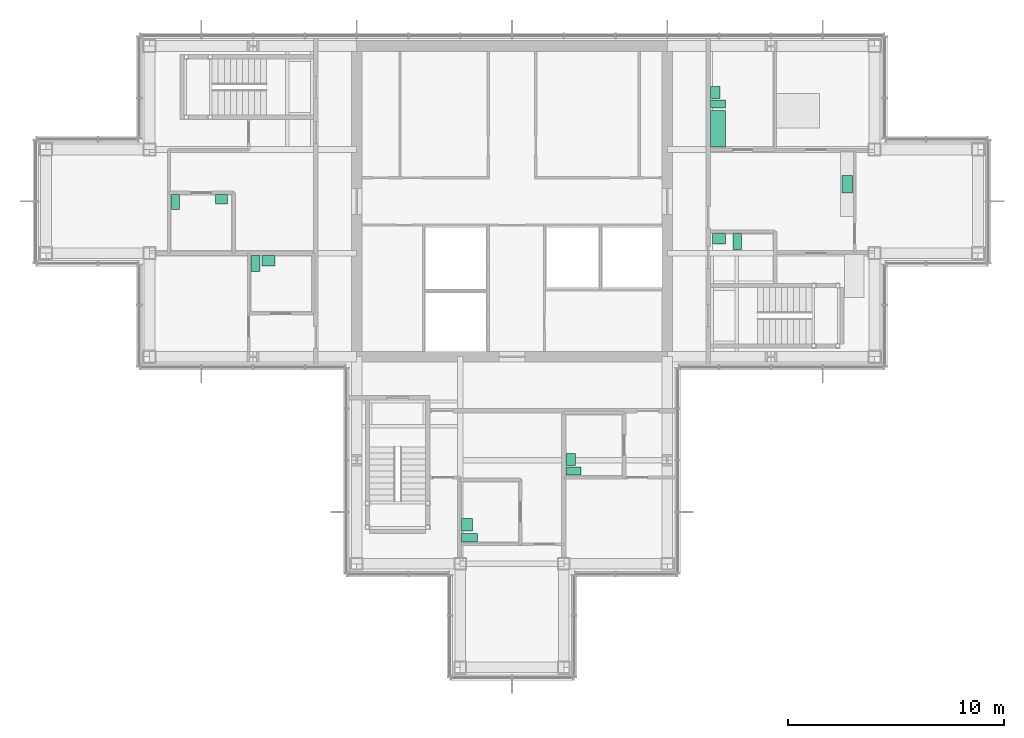
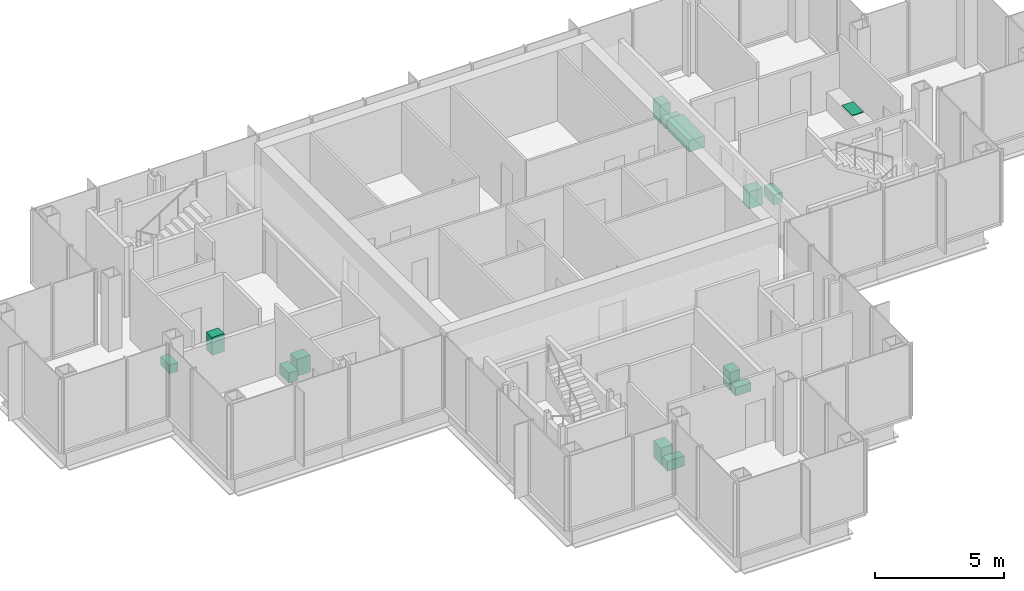
# One storey, part 14 of 15: 14 sanitary terminals.
"""IFC4 building model written with IfcOpenShell, lengths in metres."""

from ifc_helpers import new_model, si_unit, direction, frame, origin, origin_2d, place, context, subcontext, project, spatial, rectangle, extrude, material, type_object, element, save


model = new_model("IFC4")

# Units and contexts
model_context = context("Model", 3, precision=1e-05, world=origin(), true_north=direction((0.0, 1.0)))
body_context = subcontext(model_context, "Body", "Model", "MODEL_VIEW")
ifc_project = project(units=[si_unit("LENGTHUNIT", "METRE"), si_unit("AREAUNIT", "SQUARE_METRE"), si_unit("VOLUMEUNIT", "CUBIC_METRE"), si_unit("PLANEANGLEUNIT", "RADIAN"), si_unit("MASSUNIT", "GRAM", prefix="KILO")], contexts=[model_context])

# Site, building, storey
site_placement = place(None, origin())
site = spatial("IfcSite", under=ifc_project, at=site_placement, CompositionType="ELEMENT")
building_placement = place(site_placement, origin())
building = spatial("IfcBuilding", under=site, at=building_placement, Name="Kvirike Care Tower", CompositionType="ELEMENT")
storey_placement = place(building_placement, frame((0.0, 0.0, 229.5)))
storey = spatial("IfcBuildingStorey", under=building, at=storey_placement, Name="L63", CompositionType="ELEMENT", Elevation=229.5)

# Sanitary terminals
ifc_material_1 = material(Name="Vitreous china", Category="ceramic")
sanitary_terminal_type_1 = type_object("IfcSanitaryTerminalType", Name="ACCESSIBLE WASH BASIN 600 x 500", PredefinedType="WASHHANDBASIN", material=ifc_material_1)
for number, where, z_axis, x_axis, name in (
    (1, (10.31005859375, 33.248046875, 0.02001953125), (0.0, 0.0, 1.0), (1.0, 0.0, 0.0), "Accessible wash basin L63-007"),
    (2, (19.511962890625, 21.010009765625, 0.02001953125), (0.0, 0.0, 1.0), (0.0, 1.0, 0.0), "Accessible wash basin L63-013"),
    (3, (31.199951171875, 34.27294921875, 0.02001953125), (0.0, 0.0, 1.0), (1.0, 0.0, 0.0), "Accessible wash basin L63-023"),
):
    element("IfcSanitaryTerminal", number, at=place(storey_placement, frame(where, z_axis=z_axis, x_axis=x_axis)), inside=storey, type_object=sanitary_terminal_type_1, Name=name, PredefinedType="WASHHANDBASIN", context=body_context, shape_type="SweptSolid", body=[
        extrude(rectangle(XDim=0.60009765625, YDim=0.5, at=origin_2d()), origin(), (0.0, 0.0, 1.0), 0.800048828125),
    ])
ifc_material_2 = material(Name="Vitreous china", Category="ceramic")
sanitary_terminal_type_2 = type_object("IfcSanitaryTerminalType", Name="ACCESSIBLE WC PAN 400 x 750", PredefinedType="TOILETPAN", material=ifc_material_2)
for number, where, z_axis, x_axis, name in (
    (4, (9.7099609375, 33.123046875, 0.02001953125), (0.0, 0.0, 1.0), (1.0, 0.0, 0.0), "Accessible WC pan L63-007"),
    (5, (19.636962890625, 20.409912109375, 0.02001953125), (0.0, 0.0, 1.0), (0.0, 1.0, 0.0), "Accessible WC pan L63-013"),
    (6, (32.050048828125, 34.14794921875, 0.02001953125), (0.0, 0.0, 1.0), (1.0, 0.0, 0.0), "Accessible WC pan L63-023"),
):
    element("IfcSanitaryTerminal", number, at=place(storey_placement, frame(where, z_axis=z_axis, x_axis=x_axis)), inside=storey, type_object=sanitary_terminal_type_2, Name=name, PredefinedType="TOILETPAN", context=body_context, shape_type="SweptSolid", body=[
        extrude(rectangle(XDim=0.39990234375, YDim=0.75, at=origin_2d()), origin(), (0.0, 0.0, 1.0), 0.47998046875),
    ])
ifc_material_3 = material(Name="Enamelled steel", Category="steel")
sanitary_terminal_type_3 = type_object("IfcSanitaryTerminalType", Name="BATH 1700 x 700", PredefinedType="BATH", material=ifc_material_3)
sanitary_terminal_1_placement = place(storey_placement, frame((31.152099609375, 39.375, 0.02001953125), z_axis=(0.0, 0.0, 1.0), x_axis=(0.0, 1.0, 0.0)))
element("IfcSanitaryTerminal", 7, at=sanitary_terminal_1_placement, inside=storey, type_object=sanitary_terminal_type_3, Name="Bath L63-024", PredefinedType="BATH", context=body_context, shape_type="SweptSolid", body=[
    extrude(rectangle(XDim=1.699951171875, YDim=0.699951171875, at=origin_2d()), origin(), (0.0, 0.0, 1.0), 0.550048828125),
])
ifc_material_4 = material(Name="Stainless steel", Category="steel")
sanitary_terminal_type_4 = type_object("IfcSanitaryTerminalType", Name="KITCHEN SINK 800 x 500", PredefinedType="SINK", material=ifc_material_4)
sanitary_terminal_2_placement = place(storey_placement, frame((37.137939453125, 36.7900390625, 0.89990234375), z_axis=(0.0, 0.0, 1.0), x_axis=(0.0, -1.0, 0.0)))
element("IfcSanitaryTerminal", 8, at=sanitary_terminal_2_placement, inside=storey, type_object=sanitary_terminal_type_4, Name="Kitchen sink L63-025", PredefinedType="SINK", context=body_context, shape_type="SweptSolid", body=[
    extrude(rectangle(XDim=0.800048828125, YDim=0.5, at=origin_2d()), origin(), (0.0, 0.0, 1.0), 0.030029296875),
])
ifc_material_5 = material(Name="Vitreous china", Category="ceramic")
sanitary_terminal_type_5 = type_object("IfcSanitaryTerminalType", Name="WASH BASIN 550 x 450", PredefinedType="WASHHANDBASIN", material=ifc_material_5)
for number, where, z_axis, x_axis, name in (
    (9, (8.135009765625, 36.097900390625, 0.02001953125), (0.0, 0.0, 1.0), (1.0, 0.0, 0.0), "Wash basin L63-004"),
    (10, (24.326904296875, 24.034912109375, 0.02001953125), (0.0, 0.0, 1.0), (0.0, 1.0, 0.0), "Wash basin L63-016"),
    (11, (31.027099609375, 41.050048828125, 0.02001953125), (0.0, 0.0, 1.0), (0.0, 1.0, 0.0), "Wash basin L63-024"),
):
    element("IfcSanitaryTerminal", number, at=place(storey_placement, frame(where, z_axis=z_axis, x_axis=x_axis)), inside=storey, type_object=sanitary_terminal_type_5, Name=name, PredefinedType="WASHHANDBASIN", context=body_context, shape_type="SweptSolid", body=[
        extrude(rectangle(XDim=0.550048828125, YDim=0.449951171875, at=origin_2d()), origin(), (0.0, 0.0, 1.0), 0.85009765625),
    ])
ifc_material_6 = material(Name="Vitreous china", Category="ceramic")
sanitary_terminal_type_6 = type_object("IfcSanitaryTerminalType", Name="WC PAN 380 x 700", PredefinedType="TOILETPAN", material=ifc_material_6)
for number, where, z_axis, x_axis, name in (
    (12, (6.0, 35.972900390625, 0.02001953125), (0.0, 0.0, 1.0), (1.0, 0.0, 0.0), "WC pan L63-004"),
    (13, (24.451904296875, 23.5, 0.02001953125), (0.0, 0.0, 1.0), (0.0, 1.0, 0.0), "WC pan L63-016"),
    (14, (31.152099609375, 40.514892578125, 0.02001953125), (0.0, 0.0, 1.0), (0.0, 1.0, 0.0), "WC pan L63-024"),
):
    element("IfcSanitaryTerminal", number, at=place(storey_placement, frame(where, z_axis=z_axis, x_axis=x_axis)), inside=storey, type_object=sanitary_terminal_type_6, Name=name, PredefinedType="TOILETPAN", context=body_context, shape_type="SweptSolid", body=[
        extrude(rectangle(XDim=0.3798828125, YDim=0.699951171875, at=origin_2d()), origin(), (0.0, 0.0, 1.0), 0.39990234375),
    ])

save(model, "model.ifc")
